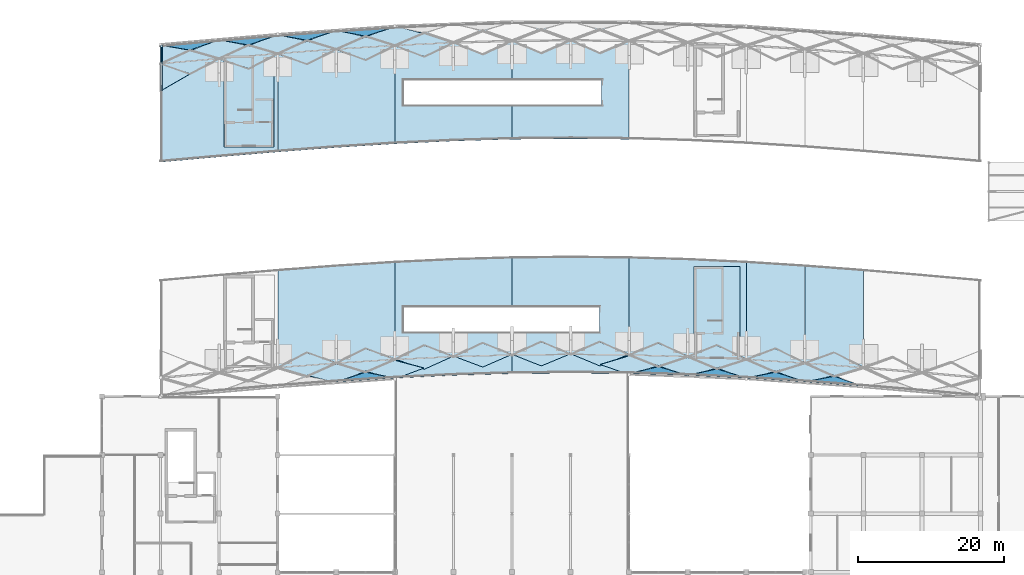
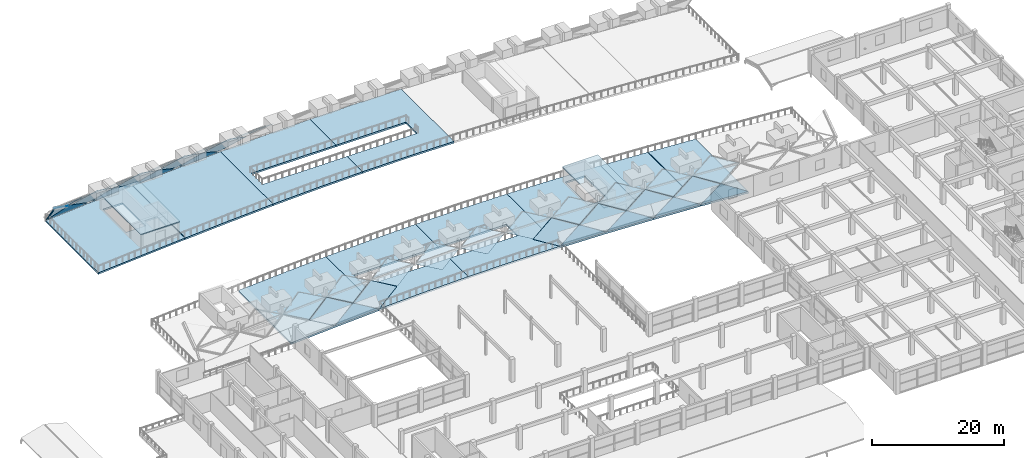
# One storey, part 36 of 67: 38 plates, 12 slabs.
"""IFC4 building model written with IfcOpenShell, lengths in metres."""

import ifcopenshell
import ifcopenshell.guid

model = None  # the IFC model being written
_history = None  # IfcOwnerHistory: only IFC2X3 demands one
_inside = {}  # id of a spatial element -> (the spatial element, [elements in it])
_under = {}  # id of a project, library or spatial element -> (it, [spatial elements below it])
_declared = {}  # id of a project -> (the project, [libraries it declares])
_typed = {}  # id of a type object -> (the type object, [elements of that type])
_made_of = {}  # id of a material, layer set ... -> (it, [elements and type objects made of it])


def new_model(schema):
    """Start an empty IFC model of exactly this schema.

    Asked for "IFC4X3", IfcOpenShell would pick the latest addendum, in which some entities
    have other attributes; the version numbers below select the first issue.
    IFC2X3 requires an IfcOwnerHistory on every rooted entity: one is made here for all.
    """
    global model, _history
    if schema == "IFC4X3":
        model = ifcopenshell.file(schema_version=(4, 3, 0, 0))
    else:
        model = ifcopenshell.file(schema=schema)
    _inside.clear()
    _under.clear()
    _declared.clear()
    _typed.clear()
    _made_of.clear()
    _history = None
    if model.schema == "IFC2X3":
        org = make("IfcOrganization", Name="unknown")
        user = make(
            "IfcPersonAndOrganization",
            ThePerson=make("IfcPerson", FamilyName="unknown"),
            TheOrganization=org,
        )
        app = make(
            "IfcApplication",
            ApplicationDeveloper=org,
            Version="unknown",
            ApplicationFullName="unknown",
            ApplicationIdentifier="unknown",
        )
        _history = make(
            "IfcOwnerHistory",
            OwningUser=user,
            OwningApplication=app,
            ChangeAction="ADDED",
            CreationDate=0,
        )
    return model


def make(cls, **values):
    """One entity of the class cls with the attributes given. An attribute that is None is left unset."""
    return model.create_entity(
        cls, **{name: value for name, value in values.items() if value is not None}
    )


def rooted(cls, **values):
    """An entity with a GlobalId (a new one), such as an element, a storey or a relation."""
    return make(cls, GlobalId=ifcopenshell.guid.new(), OwnerHistory=_history, **values)


def si_unit(unit_type, name, prefix=None):
    """IfcSIUnit, for example si_unit("LENGTHUNIT", "METRE", prefix="MILLI")."""
    return make("IfcSIUnit", UnitType=unit_type, Prefix=prefix, Name=name)


def assignment(units):
    """IfcUnitAssignment: the units of a project."""
    return None if units is None else make("IfcUnitAssignment", Units=units)


def point(xyz):
    """IfcCartesianPoint."""
    return None if xyz is None else make("IfcCartesianPoint", Coordinates=xyz)


def direction(xyz):
    """IfcDirection."""
    return None if xyz is None else make("IfcDirection", DirectionRatios=xyz)


def frame(location, z_axis=None, x_axis=None):
    """IfcAxis2Placement3D, a coordinate frame: its origin and axes. An axis left out is left unset."""
    return make(
        "IfcAxis2Placement3D",
        Location=point(location),
        Axis=direction(z_axis),
        RefDirection=direction(x_axis),
    )


def origin():
    """The frame at (0, 0, 0) with its axes left unset."""
    return frame((0.0, 0.0, 0.0))


def place(relative_to, where):
    """IfcLocalPlacement: puts the frame where relative to a parent placement (None: the world)."""
    return make(
        "IfcLocalPlacement", PlacementRelTo=relative_to, RelativePlacement=where
    )


def context(
    kind, dimensions, precision=None, world=None, true_north=None, identifier=None
):
    """IfcGeometricRepresentationContext, for example the 3D "Model" context."""
    return make(
        "IfcGeometricRepresentationContext",
        ContextIdentifier=identifier,
        ContextType=kind,
        CoordinateSpaceDimension=dimensions,
        Precision=precision,
        WorldCoordinateSystem=world,
        TrueNorth=true_north,
    )


def subcontext(parent, identifier, kind, view, scale=None):
    """IfcGeometricRepresentationSubContext, for example "Body" below "Model"."""
    return make(
        "IfcGeometricRepresentationSubContext",
        ContextIdentifier=identifier,
        ContextType=kind,
        ParentContext=parent,
        TargetScale=scale,
        TargetView=view,
    )


def project(units=None, contexts=None):
    """IfcProject with its units and contexts."""
    return rooted(
        "IfcProject",
        Name="project",
        RepresentationContexts=contexts,
        UnitsInContext=assignment(units),
    )


def spatial(cls, under=None, at=None, **own):
    """A site, building, storey or space (cls), placed at a placement, below another one or the project."""
    s = rooted(cls, ObjectPlacement=at, **own)
    if under is not None:
        _under.setdefault(under.id(), (under, []))[1].append(s)
    return s


def polyline(points):
    """IfcPolyline through the points."""
    return make("IfcPolyline", Points=[point(p) for p in points])


def outline(outer, holes=None, kind="AREA"):
    """IfcArbitraryClosedProfileDef: a profile drawn as a closed curve; with holes, ...WithVoids."""
    if holes is None:
        return make("IfcArbitraryClosedProfileDef", ProfileType=kind, OuterCurve=outer)
    return make(
        "IfcArbitraryProfileDefWithVoids",
        ProfileType=kind,
        OuterCurve=outer,
        InnerCurves=holes,
    )


def extrude(swept, where, along, depth):
    """IfcExtrudedAreaSolid: the profile swept, set in the frame where, extruded along a direction by depth."""
    return make(
        "IfcExtrudedAreaSolid",
        SweptArea=swept,
        Position=where,
        ExtrudedDirection=direction(along),
        Depth=depth,
    )


def shape(context_of_items, identifier, shape_type, items):
    """IfcShapeRepresentation: the items that make up one representation, for example the "Body"."""
    return make(
        "IfcShapeRepresentation",
        ContextOfItems=context_of_items,
        RepresentationIdentifier=identifier,
        RepresentationType=shape_type,
        Items=items,
    )


def material(Name=None, Category=None):
    """IfcMaterial."""
    return make("IfcMaterial", Name=Name, Category=Category)


def layer(
    of_material, thickness, ventilated=None, Name=None, Category=None, Priority=None
):
    """IfcMaterialLayer: one layer of a wall or slab, of a material (None: an air gap)."""
    return make(
        "IfcMaterialLayer",
        Material=of_material,
        LayerThickness=thickness,
        IsVentilated=ventilated,
        Name=Name,
        Category=Category,
        Priority=Priority,
    )


def layer_set(layers, Name=None):
    """IfcMaterialLayerSet."""
    return make("IfcMaterialLayerSet", MaterialLayers=layers, LayerSetName=Name)


def made_of(thing, what):
    """Note that an element or type object is made of a material, layer set ...; save() writes the relation."""
    if what is not None:
        _made_of.setdefault(what.id(), (what, []))[1].append(thing)
    return thing


def type_object(cls, material=None, **own):
    """A type object (cls), such as IfcWallType, which elements share."""
    return made_of(rooted(cls, **own), material)


def element(
    cls,
    number,
    at=None,
    inside=None,
    cuts=None,
    type_object=None,
    material=None,
    context=None,
    identifier="Body",
    shape_type=None,
    held_by="IfcProductDefinitionShape",
    body=None,
    shapes=None,
    **own,
):
    """One element of the class cls, such as IfcWall. Its Tag is "e" and its number.

    at: its placement. inside: the storey or other place that contains it. cuts: it is an
    opening in that element (IfcRelVoidsElement). A single representation is given by context,
    identifier, shape_type and body (its items); several are given by shapes. held_by: the class
    of the entity that holds the representations. save() writes the other relations.
    """
    e = rooted(cls, Tag="e%d" % number, ObjectPlacement=at, **own)
    if body is not None:
        shapes = [shape(context, identifier, shape_type, body)]
    if shapes is not None:
        e.Representation = make(held_by, Representations=shapes)
    if inside is not None:
        _inside.setdefault(inside.id(), (inside, []))[1].append(e)
    if cuts is not None:
        rooted(
            "IfcRelVoidsElement", RelatingBuildingElement=cuts, RelatedOpeningElement=e
        )
    if type_object is not None:
        _typed.setdefault(type_object.id(), (type_object, []))[1].append(e)
    return made_of(e, material)


def aggregate(whole, parts):
    """IfcRelAggregates: a whole, such as a stair, and the parts it consists of."""
    return rooted("IfcRelAggregates", RelatingObject=whole, RelatedObjects=parts)


def save(model, path):
    """Write the relations noted so far, then the file.

    IfcRelAggregates (storeys below a building ...), IfcRelContainedInSpatialStructure (elements
    in a storey), IfcRelDefinesByType, IfcRelAssociatesMaterial and IfcRelDeclares: one each for
    every whole, place, type object, material and project.
    """
    for whole, parts in _under.values():
        aggregate(whole, parts)
    for where, things in _inside.values():
        rooted(
            "IfcRelContainedInSpatialStructure",
            RelatedElements=things,
            RelatingStructure=where,
        )
    for kind, things in _typed.values():
        rooted("IfcRelDefinesByType", RelatedObjects=things, RelatingType=kind)
    for what, things in _made_of.values():
        rooted("IfcRelAssociatesMaterial", RelatedObjects=things, RelatingMaterial=what)
    for by, libraries in _declared.values():
        rooted("IfcRelDeclares", RelatingContext=by, RelatedDefinitions=libraries)
    model.write(path)


model = new_model("IFC4")

# Units and contexts
model_context = context("Model", 3, precision=1e-05, world=origin(), true_north=direction((0.0, 1.0)))
body_context = subcontext(model_context, "Body", "Model", "MODEL_VIEW")
ifc_project = project(units=[si_unit("LENGTHUNIT", "METRE"), si_unit("AREAUNIT", "SQUARE_METRE"), si_unit("VOLUMEUNIT", "CUBIC_METRE"), si_unit("PLANEANGLEUNIT", "RADIAN"), si_unit("MASSUNIT", "GRAM", prefix="KILO")], contexts=[model_context])

# Site, building, storey
site_placement = place(None, origin())
site = spatial("IfcSite", under=ifc_project, at=site_placement, CompositionType="ELEMENT")
building_placement = place(site_placement, origin())
building = spatial("IfcBuilding", under=site, at=building_placement, Name="Kenh Van Central Station", CompositionType="ELEMENT")
storey_placement = place(building_placement, frame((0.0, 0.0, 10.800048828125)))
storey = spatial("IfcBuildingStorey", under=building, at=storey_placement, Name="L02", CompositionType="ELEMENT", Elevation=10.800048828125)

# Plates
ifc_material_1 = material(Name="White fluoropolymer structural steel S355", Category="steel")
ifc_layer_1 = layer(ifc_material_1, 0.008056640625, Name="White fluoropolymer structural steel S355")
ifc_layer_set_1 = layer_set([ifc_layer_1], Name="White fluoropolymer structural steel S355")
plate_type_1 = type_object("IfcPlateType", Name="PLT-FASCIA-SH1", PredefinedType="SHEET", material=ifc_layer_set_1)
plate_1_placement = place(storey_placement, frame((32.0, 109.447509765625, 3.76171875), z_axis=(0.0, 0.827486468336, 0.561485658518), x_axis=(1.0, 0.0, 0.0)))
element("IfcPlate", 1, at=plate_1_placement, inside=storey, type_object=plate_type_1, Name="Vault portal arch trim plate 12", PredefinedType="SHEET", context=body_context, shape_type="SweptSolid", body=[
    extrude(outline(polyline([(0.0, 0.0), (0.260009765625, 0.0), (0.260009765625, 4.54595802341831), (0.0, 4.54595802341831), (0.0, 0.0)])), origin(), (0.0, 0.0, -1.0), 0.008056640625),
])
ifc_layer_2 = layer(ifc_material_1, 0.011962890625, Name="White fluoropolymer structural steel S355")
ifc_layer_set_2 = layer_set([ifc_layer_2], Name="White fluoropolymer structural steel S355")
plate_type_2 = type_object("IfcPlateType", Name="PLT-FASCIA-SH3", PredefinedType="SHEET", material=ifc_layer_set_2)
plate_2_placement = place(storey_placement, frame((32.0, 105.73046875, 6.428466796875), z_axis=(0.0, 0.58293315188, 0.812520116944), x_axis=(1.0, 0.0, 0.0)))
element("IfcPlate", 2, at=plate_2_placement, inside=storey, type_object=plate_type_2, Name="Vault portal arch trim plate 11", PredefinedType="SHEET", context=body_context, shape_type="SweptSolid", body=[
    extrude(outline(polyline([(0.0, 0.0), (0.260009765625, 0.0), (0.260009765625, 4.574706444937222), (0.0, 4.574706444937222), (0.0, 0.0)])), origin(), (0.0, 0.0, -1.0), 0.011962890625),
])
ifc_material_2 = material(Name="Double-glazed low-E laminated solar glass", Category="glass")
ifc_layer_3 = layer(ifc_material_2, 0.02197265625, Name="Double-glazed low-E laminated solar glass")
ifc_layer_set_3 = layer_set([ifc_layer_3], Name="Double-glazed low-E laminated solar glass")
plate_type_3 = type_object("IfcPlateType", Name="PLT-VAULT-GLZ1", PredefinedType="SHEET", material=ifc_layer_set_3)
plate_3_placement = place(storey_placement, frame((56.01171875, 65.9970703125, 0.001953125), z_axis=(0.055928108175, -0.883172136439, 0.465702720771), x_axis=(0.998000894457, 0.063199799542, 0.0)))
element("IfcPlate", 3, at=plate_3_placement, inside=storey, type_object=plate_type_3, Name="Vault border triangle skylight pane 284", PredefinedType="SHEET", context=body_context, shape_type="SweptSolid", body=[
    extrude(outline(polyline([(0.0, 0.0), (7.992540431876439, -2.7755575615628914e-17), (4.0634585770478715, 2.2782454008651882), (0.0, 0.0)])), origin(), (0.0, 0.0, -1.0), 0.02197265625),
])
plate_4_placement = place(storey_placement, frame((96.01171875, 67.12060546875, 0.001953125), z_axis=(-0.026146594293, -0.883414197243, 0.467862919792), x_axis=(0.999562290174, -0.02958425363, 0.0)))
element("IfcPlate", 4, at=plate_4_placement, inside=storey, type_object=plate_type_3, Name="Vault border triangle skylight pane 290", PredefinedType="SHEET", context=body_context, shape_type="SweptSolid", body=[
    extrude(outline(polyline([(0.0, 0.0), (7.980055448684841, 0.0), (3.9584391664199083, 2.2811845394208583), (0.0, 0.0)])), origin(), (0.0, 0.0, -1.0), 0.02197265625),
])
plate_5_placement = place(storey_placement, frame((120.01171875, 65.995361328125, 0.001953125), z_axis=(-0.066986760815, -0.883208817337, 0.464171260262), x_axis=(0.99713613591, -0.075627550954, 0.0)))
element("IfcPlate", 5, at=plate_5_placement, inside=storey, type_object=plate_type_3, Name="Vault border triangle skylight pane 296", PredefinedType="SHEET", context=body_context, shape_type="SweptSolid", body=[
    extrude(outline(polyline([(0.0, 0.0), (7.9994719003178725, 0.0), (3.9196032423605174, 2.276176785556184), (0.0, 0.0)])), origin(), (0.0, 0.0, -1.0), 0.02197265625),
])
ifc_layer_4 = layer(ifc_material_2, 0.02490234375, Name="Double-glazed low-E laminated solar glass")
ifc_layer_set_4 = layer_set([ifc_layer_4], Name="Double-glazed low-E laminated solar glass")
plate_type_4 = type_object("IfcPlateType", Name="PLT-VAULT-GLZ2", PredefinedType="SHEET", material=ifc_layer_set_4)
plate_6_placement = place(storey_placement, frame((36.021484375, 111.195556640625, 1.955322265625), z_axis=(-0.072217389507, 0.825393790341, 0.559919404486), x_axis=(0.885343290332, -0.20546641609, 0.417074106272)))
element("IfcPlate", 6, at=plate_6_placement, inside=storey, type_object=plate_type_4, Name="Vault planar diamond skylight pane 018", PredefinedType="SHEET", context=body_context, shape_type="SweptSolid", body=[
    extrude(outline(polyline([(0.0, 0.0), (4.483277974137806, -2.220446049250313e-16), (6.918236462234372, 4.02968854867161), (2.400916720368131, 4.0139877874823195), (0.0, 0.0)])), origin(), (0.0, 0.0, -1.0), 0.02490234375),
])
plate_7_placement = place(storey_placement, frame((40.017578125, 110.093994140625, 3.693359375), z_axis=(-0.058985798948, 0.696936897091, 0.714702481453), x_axis=(0.889878177634, -0.287727841423, 0.354019093046)))
element("IfcPlate", 7, at=plate_7_placement, inside=storey, type_object=plate_type_4, Name="Vault planar diamond skylight pane 028", PredefinedType="SHEET", context=body_context, shape_type="SweptSolid", body=[
    extrude(outline(polyline([(0.0, 0.0), (4.468928686325895, -1.1102230246251565e-16), (6.903817401276128, 4.050937842359991), (2.4112329198228926, 4.047800552036084), (0.0, 0.0)])), origin(), (0.0, 0.0, -1.0), 0.02490234375),
])
plate_8_placement = place(storey_placement, frame((48.006591796875, 68.01220703125, 3.689453125), z_axis=(0.052954281991, -0.697010559228, 0.715102876755), x_axis=(0.889301747749, -0.292828973136, -0.351274243209)))
element("IfcPlate", 8, at=plate_8_placement, inside=storey, type_object=plate_type_4, Name="Vault planar diamond skylight pane 039", PredefinedType="SHEET", context=body_context, shape_type="SweptSolid", body=[
    extrude(outline(polyline([(0.0, 0.0), (4.496544026384616, -2.220446049250313e-16), (6.916009471208188, 4.019100096142446), (2.430851784742546, 4.044128043201607), (0.0, 0.0)])), origin(), (0.0, 0.0, -1.0), 0.02490234375),
])
plate_9_placement = place(storey_placement, frame((52.00390625, 66.872314453125, 1.95166015625), z_axis=(0.057956976217, -0.825985598144, 0.560703826067), x_axis=(0.884839824634, -0.217572253378, -0.411971842851)))
element("IfcPlate", 9, at=plate_9_placement, inside=storey, type_object=plate_type_4, Name="Vault planar diamond skylight pane 049", PredefinedType="SHEET", context=body_context, shape_type="SweptSolid", body=[
    extrude(outline(polyline([(0.0, 0.0), (4.525279261157869, 0.0), (6.936055415524817, 3.9776552415638284), (2.431100188061989, 4.007924452409416), (0.0, 0.0)])), origin(), (0.0, 0.0, -1.0), 0.02490234375),
])
plate_10_placement = place(storey_placement, frame((60.017822265625, 113.103271484375, 1.957763671875), z_axis=(-0.046266343832, 0.826710459141, 0.560722072131), x_axis=(0.88088807475, -0.230933967031, 0.413165466412)))
element("IfcPlate", 10, at=plate_10_placement, inside=storey, type_object=plate_type_4, Name="Vault planar diamond skylight pane 076", PredefinedType="SHEET", context=body_context, shape_type="SweptSolid", body=[
    extrude(outline(polyline([(0.0, 0.0), (4.513985134421077, -4.440892098500626e-16), (6.923223480283863, 3.9856860006532995), (2.3815549855339966, 3.9876880307243967), (0.0, 0.0)])), origin(), (0.0, 0.0, -1.0), 0.02490234375),
])
plate_11_placement = place(storey_placement, frame((64.01513671875, 111.8857421875, 3.69580078125), z_axis=(-0.03330262297, 0.697848471769, 0.715470786093), x_axis=(0.882013706571, -0.316156288171, 0.349423844165)))
element("IfcPlate", 11, at=plate_11_placement, inside=storey, type_object=plate_type_4, Name="Vault planar diamond skylight pane 086", PredefinedType="SHEET", context=body_context, shape_type="SweptSolid", body=[
    extrude(outline(polyline([(0.0, 0.0), (4.514316078677269, -1.1102230246251565e-16), (6.914620045615733, 3.9933165775402473), (2.378889704786478, 4.007525946293733), (0.0, 0.0)])), origin(), (0.0, 0.0, -1.0), 0.02490234375),
])
plate_12_placement = place(storey_placement, frame((72.009765625, 69.5087890625, 3.68701171875), z_axis=(0.020674096785, -0.697731831754, 0.716060662709), x_axis=(0.878303659989, -0.329502004553, -0.346426196823)))
element("IfcPlate", 12, at=plate_12_placement, inside=storey, type_object=plate_type_4, Name="Vault planar diamond skylight pane 094", PredefinedType="SHEET", context=body_context, shape_type="SweptSolid", body=[
    extrude(outline(polyline([(0.0, 0.0), (4.545616093565258, 1.1102230246251565e-16), (6.927709609288964, 3.9598403022920983), (2.3760398812591506, 3.9893703701065024), (0.0, 0.0)])), origin(), (0.0, 0.0, -1.0), 0.02490234375),
])
plate_13_placement = place(storey_placement, frame((96.01416015625, 69.744873046875, 3.686767578125), z_axis=(-0.020674096785, -0.697731831754, 0.716060662709), x_axis=(0.862052314965, -0.375206754828, -0.340713512199)))
element("IfcPlate", 13, at=plate_13_placement, inside=storey, type_object=plate_type_4, Name="Vault planar diamond skylight pane 150", PredefinedType="SHEET", context=body_context, shape_type="SweptSolid", body=[
    extrude(outline(polyline([(0.0, 0.0), (4.621115096739066, 1.1102230246251565e-16), (6.964290368242705, 3.8951450957690046), (2.3209914420360165, 3.915554630440456), (0.0, 0.0)])), origin(), (0.0, 0.0, -1.0), 0.02490234375),
])
plate_14_placement = place(storey_placement, frame((100.0166015625, 68.191650390625, 1.94970703125), z_axis=(-0.032229809965, -0.826881098112, 0.561452481457), x_axis=(0.862025901968, -0.307296666786, -0.403088207367)))
element("IfcPlate", 14, at=plate_14_placement, inside=storey, type_object=plate_type_4, Name="Vault planar diamond skylight pane 160", PredefinedType="SHEET", context=body_context, shape_type="SweptSolid", body=[
    extrude(outline(polyline([(0.0, 0.0), (4.615875735509338, -4.440892098500626e-16), (6.97060531619273, 3.888568703389453), (2.3272171643162416, 3.9002230673966602), (0.0, 0.0)])), origin(), (0.0, 0.0, -1.0), 0.02490234375),
])
plate_15_placement = place(storey_placement, frame((120.017333984375, 68.61767578125, 3.68896484375), z_axis=(-0.052954281991, -0.697010559228, 0.715102876755), x_axis=(0.847826566501, -0.4097466882, -0.336597333092)))
element("IfcPlate", 15, at=plate_15_placement, inside=storey, type_object=plate_type_4, Name="Vault planar diamond skylight pane 206", PredefinedType="SHEET", context=body_context, shape_type="SweptSolid", body=[
    extrude(outline(polyline([(0.0, 0.0), (4.691159624390065, 4.440892098500626e-16), (7.010252079995841, 3.85236529466866), (2.2917775290911284, 3.855518334510781), (0.0, 0.0)])), origin(), (0.0, 0.0, -1.0), 0.02490234375),
])
plate_16_placement = place(storey_placement, frame((32.01171875, 112.0, 0.001953125), z_axis=(-0.078750195891, 0.884775240765, 0.459315991422), x_axis=(0.881951368601, -0.152948593735, 0.445834623036)))
element("IfcPlate", 16, at=plate_16_placement, inside=storey, type_object=plate_type_4, Name="Vault border triangle skylight pane 279", PredefinedType="SHEET", context=body_context, shape_type="SweptSolid", body=[
    extrude(outline(polyline([(0.0, 0.0), (4.522110166148755, 0.0), (6.926352686610428, 4.019357201079126), (0.0, 0.0)])), origin(), (0.0, 0.0, -1.0), 0.02490234375),
])
plate_17_placement = place(storey_placement, frame((56.01171875, 113.994873046875, 0.001953125), z_axis=(-0.056275400193, 0.88822699281, 0.455945049954), x_axis=(0.879086613354, -0.172416350954, 0.444386462603)))
element("IfcPlate", 17, at=plate_17_placement, inside=storey, type_object=plate_type_4, Name="Vault border triangle skylight pane 285", PredefinedType="SHEET", context=body_context, shape_type="SweptSolid", body=[
    extrude(outline(polyline([(0.0, 0.0), (4.536846755954489, -4.440892098500626e-16), (6.9249550744727335, 3.9907325737687134), (0.0, 0.0)])), origin(), (0.0, 0.0, -1.0), 0.02490234375),
])
ifc_layer_5 = layer(ifc_material_2, 0.027099609375, Name="Double-glazed low-E laminated solar glass")
ifc_layer_set_5 = layer_set([ifc_layer_5], Name="Double-glazed low-E laminated solar glass")
plate_type_5 = type_object("IfcPlateType", Name="PLT-VAULT-GLZ3", PredefinedType="SHEET", material=ifc_layer_set_5)
plate_18_placement = place(storey_placement, frame((32.005859375, 105.7392578125, 6.4228515625), z_axis=(-0.088951634368, 0.580587320099, 0.80932439138), x_axis=(0.838074712556, 0.482724046623, -0.254181570904)))
element("IfcPlate", 18, at=plate_18_placement, inside=storey, type_object=plate_type_5, Name="Vault border triangle skylight pane 274", PredefinedType="SHEET", context=body_context, shape_type="SweptSolid", body=[
    extrude(outline(polyline([(0.0, 0.0), (4.751578438909931, -1.1102230246251565e-16), (2.4614357286426984, 3.831602085558889), (0.0, 0.0)])), origin(), (0.0, 0.0, -1.0), 0.027099609375),
])
plate_19_placement = place(storey_placement, frame((104.01171875, 66.883544921875, 0.001953125), z_axis=(-0.042091354721, -0.883242608515, 0.467023353122), x_axis=(0.998866407848, -0.047601462935, 0.0)))
element("IfcPlate", 19, at=plate_19_placement, inside=storey, type_object=plate_type_5, Name="Vault border triangle skylight pane 292", PredefinedType="SHEET", context=body_context, shape_type="SweptSolid", body=[
    extrude(outline(polyline([(0.0, 0.0), (7.985614930416965, -2.7755575615628914e-17), (3.9420623998016127, 2.2800392685333013), (0.0, 0.0)])), origin(), (0.0, 0.0, -1.0), 0.027099609375),
])
ifc_layer_6 = layer(ifc_material_2, 0.029052734375, Name="Double-glazed low-E laminated solar glass")
ifc_layer_set_6 = layer_set([ifc_layer_6], Name="Double-glazed low-E laminated solar glass")
plate_type_6 = type_object("IfcPlateType", Name="PLT-VAULT-GLZ4", PredefinedType="SHEET", material=ifc_layer_set_6)
plate_20_placement = place(storey_placement, frame((44.0205078125, 111.8955078125, 1.9560546875), z_axis=(-0.066777286775, 0.825732451939, 0.560095270277), x_axis=(0.884543743281, -0.210735277498, 0.416140612101)))
element("IfcPlate", 20, at=plate_20_placement, inside=storey, type_object=plate_type_6, Name="Vault planar diamond skylight pane 038", PredefinedType="SHEET", context=body_context, shape_type="SweptSolid", body=[
    extrude(outline(polyline([(0.0, 0.0), (4.4892605343192145, 0.0), (6.919665864804035, 4.018881104380001), (2.3970686440764752, 4.008717995204057), (0.0, 0.0)])), origin(), (0.0, 0.0, -1.0), 0.029052734375),
])
plate_21_placement = place(storey_placement, frame((48.016845703125, 110.771240234375, 3.6943359375), z_axis=(-0.052925544166, 0.69720153654, 0.714918809531), x_axis=(0.888190986283, -0.2943509232, 0.352809163567)))
element("IfcPlate", 21, at=plate_21_placement, inside=storey, type_object=plate_type_6, Name="Vault planar diamond skylight pane 048", PredefinedType="SHEET", context=body_context, shape_type="SweptSolid", body=[
    extrude(outline(polyline([(0.0, 0.0), (4.479077349250862, 1.1102230246251565e-16), (6.906214939556876, 4.0358706667889646), (2.4035996413882197, 4.038903496364168), (0.0, 0.0)])), origin(), (0.0, 0.0, -1.0), 0.029052734375),
])
plate_22_placement = place(storey_placement, frame((56.00732421875, 68.619873046875, 3.6884765625), z_axis=(0.044243490817, -0.697249599951, 0.715461745231), x_axis=(0.88654476789, -0.302729951891, -0.349847039083)))
element("IfcPlate", 22, at=plate_22_placement, inside=storey, type_object=plate_type_6, Name="Vault planar diamond skylight pane 057", PredefinedType="SHEET", context=body_context, shape_type="SweptSolid", body=[
    extrude(outline(polyline([(0.0, 0.0), (4.508867764941146, 3.3306690738754696e-16), (6.918252815107988, 4.001397872357794), (2.415456163797466, 4.02946508171962), (0.0, 0.0)])), origin(), (0.0, 0.0, -1.0), 0.029052734375),
])
plate_23_placement = place(storey_placement, frame((60.005615234375, 67.43359375, 1.950927734375), z_axis=(0.04627849062, -0.826449561817, 0.561105536488), x_axis=(0.882374194788, -0.229490742082, -0.410791649953)))
element("IfcPlate", 23, at=plate_23_placement, inside=storey, type_object=plate_type_6, Name="Vault planar diamond skylight pane 067", PredefinedType="SHEET", context=body_context, shape_type="SweptSolid", body=[
    extrude(outline(polyline([(0.0, 0.0), (4.53405394781098, -2.220446049250313e-16), (6.935448016674904, 3.9639122604882764), (2.4142802846031017, 3.994373209236433), (0.0, 0.0)])), origin(), (0.0, 0.0, -1.0), 0.029052734375),
])
plate_24_placement = place(storey_placement, frame((80.01123046875, 69.74560546875, 3.686767578125), z_axis=(0.007028321904, -0.697863048368, 0.716196738622), x_axis=(0.873188258753, -0.344760086127, -0.344503625219)))
element("IfcPlate", 24, at=plate_24_placement, inside=storey, type_object=plate_type_6, Name="Vault planar diamond skylight pane 113", PredefinedType="SHEET", context=body_context, shape_type="SweptSolid", body=[
    extrude(outline(polyline([(0.0, 0.0), (4.568890694278917, -2.220446049250313e-16), (6.937090724816821, 3.9371239229134005), (2.3559497366037503, 3.965084332772528), (0.0, 0.0)])), origin(), (0.0, 0.0, -1.0), 0.029052734375),
])
plate_25_placement = place(storey_placement, frame((104.015380859375, 69.507568359375, 3.687255859375), z_axis=(-0.033286002801, -0.697521130168, 0.715790692163), x_axis=(0.856682449721, -0.388787876069, -0.33902679505)))
element("IfcPlate", 25, at=plate_25_placement, inside=storey, type_object=plate_type_6, Name="Vault planar diamond skylight pane 168", PredefinedType="SHEET", context=body_context, shape_type="SweptSolid", body=[
    extrude(outline(polyline([(0.0, 0.0), (4.647236251670846, -4.440892098500626e-16), (6.98076370031628, 3.8770324130603036), (2.308381241009833, 3.892339410103304), (0.0, 0.0)])), origin(), (0.0, 0.0, -1.0), 0.029052734375),
])
plate_26_placement = place(storey_placement, frame((108.0185546875, 67.8798828125, 1.950439453125), z_axis=(-0.04627849062, -0.826449561817, 0.561105536488), x_axis=(0.857704772216, -0.320808741921, -0.40177639904)))
element("IfcPlate", 26, at=plate_26_placement, inside=storey, type_object=plate_type_6, Name="Vault planar diamond skylight pane 178", PredefinedType="SHEET", context=body_context, shape_type="SweptSolid", body=[
    extrude(outline(polyline([(0.0, 0.0), (4.6345759118633625, 4.440892098500626e-16), (6.983884773179377, 3.877936703429078), (2.3165789172737146, 3.8826985011675665), (0.0, 0.0)])), origin(), (0.0, 0.0, -1.0), 0.029052734375),
])
plate_27_placement = place(storey_placement, frame((40.01171875, 112.712158203125, 0.001953125), z_axis=(-0.07488173815, 0.885784268223, 0.45801632663), x_axis=(0.881539798074, -0.155899147688, 0.445626570305)))
element("IfcPlate", 27, at=plate_27_placement, inside=storey, type_object=plate_type_6, Name="Vault border triangle skylight pane 281", PredefinedType="SHEET", context=body_context, shape_type="SweptSolid", body=[
    extrude(outline(polyline([(0.0, 0.0), (4.5242214347134455, 0.0), (6.926531942569163, 4.012905079953078), (0.0, 0.0)])), origin(), (0.0, 0.0, -1.0), 0.029052734375),
])
ifc_layer_7 = layer(ifc_material_2, 0.031005859375, Name="Double-glazed low-E laminated solar glass")
ifc_layer_set_7 = layer_set([ifc_layer_7], Name="Double-glazed low-E laminated solar glass")
plate_type_7 = type_object("IfcPlateType", Name="PLT-VAULT-GLZ5", PredefinedType="SHEET", material=ifc_layer_set_7)
plate_28_placement = place(storey_placement, frame((32.005859375, 109.4541015625, 3.753662109375), z_axis=(-0.139164599112, 0.819451090659, 0.555997413997), x_axis=(0.844302121154, 0.391585160109, -0.365807313482)))
element("IfcPlate", 28, at=plate_28_placement, inside=storey, type_object=plate_type_7, Name="Vault border triangle skylight pane 276", PredefinedType="SHEET", context=body_context, shape_type="SweptSolid", body=[
    extrude(outline(polyline([(0.0, 0.0), (4.716531718444367, -2.220446049250313e-16), (2.3649471771372035, 3.858081166887451), (0.0, 0.0)])), origin(), (0.0, 0.0, -1.0), 0.031005859375),
])
plate_29_placement = place(storey_placement, frame((112.01171875, 66.502197265625, 0.001953125), z_axis=(-0.055928108175, -0.883172136439, 0.465702720771), x_axis=(0.998000894457, -0.063199799542, 0.0)))
element("IfcPlate", 29, at=plate_29_placement, inside=storey, type_object=plate_type_7, Name="Vault border triangle skylight pane 294", PredefinedType="SHEET", context=body_context, shape_type="SweptSolid", body=[
    extrude(outline(polyline([(0.0, 0.0), (7.992540431876439, 2.7755575615628914e-17), (3.9290818548285666, 2.2782454008651882), (0.0, 0.0)])), origin(), (0.0, 0.0, -1.0), 0.031005859375),
])
ifc_layer_8 = layer(ifc_material_2, 0.034912109375, Name="Double-glazed low-E laminated solar glass")
ifc_layer_set_8 = layer_set([ifc_layer_8], Name="Double-glazed low-E laminated solar glass")
plate_type_8 = type_object("IfcPlateType", Name="PLT-VAULT-GLZ6", PredefinedType="SHEET", material=ifc_layer_set_8)
plate_30_placement = place(storey_placement, frame((32.01806640625, 109.380859375, 3.6923828125), z_axis=(-0.062080915883, 0.696724699203, 0.714647223043), x_axis=(0.89057272254, -0.284585386121, 0.354811758365)))
element("IfcPlate", 30, at=plate_30_placement, inside=storey, type_object=plate_type_8, Name="Vault planar diamond skylight pane 010", PredefinedType="SHEET", context=body_context, shape_type="SweptSolid", body=[
    extrude(outline(polyline([(0.0, 0.0), (4.464350054738675, 1.1102230246251565e-16), (6.901177290900403, 4.06155759464225), (2.4143051223728387, 4.051881550468483), (0.0, 0.0)])), origin(), (0.0, 0.0, -1.0), 0.034912109375),
])
plate_31_placement = place(storey_placement, frame((52.019287109375, 112.542236328125, 1.95703125), z_axis=(-0.057972330758, 0.82620483964, 0.560379132216), x_axis=(0.883068495995, -0.219381076746, 0.414803537287)))
element("IfcPlate", 31, at=plate_31_placement, inside=storey, type_object=plate_type_8, Name="Vault planar diamond skylight pane 056", PredefinedType="SHEET", context=body_context, shape_type="SweptSolid", body=[
    extrude(outline(polyline([(0.0, 0.0), (4.499528932659139, 0.0), (6.920916827250623, 4.003937589205221), (2.3902934643954024, 4.000004988707321), (0.0, 0.0)])), origin(), (0.0, 0.0, -1.0), 0.034912109375),
])
plate_32_placement = place(storey_placement, frame((56.01611328125, 111.378662109375, 3.695068359375), z_axis=(-0.044239521012, 0.697524039905, 0.715194434078), x_axis=(0.885517093074, -0.304044058927, 0.351307113655)))
element("IfcPlate", 32, at=plate_32_placement, inside=storey, type_object=plate_type_8, Name="Vault planar diamond skylight pane 066", PredefinedType="SHEET", context=body_context, shape_type="SweptSolid", body=[
    extrude(outline(polyline([(0.0, 0.0), (4.494250936529273, 2.220446049250313e-16), (6.909466514400893, 4.016519962629074), (2.3919374175580783, 4.025192560383562), (0.0, 0.0)])), origin(), (0.0, 0.0, -1.0), 0.034912109375),
])
plate_33_placement = place(storey_placement, frame((64.008544921875, 69.127197265625, 3.6875), z_axis=(0.033286002801, -0.697521130168, 0.715790692163), x_axis=(0.882820027621, -0.315221990352, -0.348229659319)))
element("IfcPlate", 33, at=plate_33_placement, inside=storey, type_object=plate_type_8, Name="Vault planar diamond skylight pane 077", PredefinedType="SHEET", context=body_context, shape_type="SweptSolid", body=[
    extrude(outline(polyline([(0.0, 0.0), (4.525122173544253, 0.0), (6.921621745868559, 3.981657265347322), (2.3963523148780395, 4.011095577665994), (0.0, 0.0)])), origin(), (0.0, 0.0, -1.0), 0.034912109375),
])
plate_34_placement = place(storey_placement, frame((88.0126953125, 69.82568359375, 3.6865234375), z_axis=(-0.007028321904, -0.697863048368, 0.716196738622), x_axis=(0.867685990047, -0.360268526931, -0.342531182783)))
element("IfcPlate", 34, at=plate_34_placement, inside=storey, type_object=plate_type_8, Name="Vault planar diamond skylight pane 130", PredefinedType="SHEET", context=body_context, shape_type="SweptSolid", body=[
    extrude(outline(polyline([(0.0, 0.0), (4.594487585032389, 1.1102230246251565e-16), (6.949493857541318, 3.915189348257895), (2.337360680790284, 3.94009893102964), (0.0, 0.0)])), origin(), (0.0, 0.0, -1.0), 0.034912109375),
])
plate_35_placement = place(storey_placement, frame((92.014404296875, 68.351806640625, 1.949462890625), z_axis=(-0.016526198611, -0.82719741424, 0.561668338643), x_axis=(0.866560403586, -0.292085354593, -0.404671734334)))
element("IfcPlate", 35, at=plate_35_placement, inside=storey, type_object=plate_type_8, Name="Vault planar diamond skylight pane 140", PredefinedType="SHEET", context=body_context, shape_type="SweptSolid", body=[
    extrude(outline(polyline([(0.0, 0.0), (4.596509837232841, 0.0), (6.957933790092742, 3.902097005499266), (2.3407795610933886, 3.919359515515401), (0.0, 0.0)])), origin(), (0.0, 0.0, -1.0), 0.034912109375),
])
plate_36_placement = place(storey_placement, frame((112.0166015625, 69.12548828125, 3.68798828125), z_axis=(-0.044243490817, -0.697249599951, 0.715461745231), x_axis=(0.851838181576, -0.400485304223, -0.337614030382)))
element("IfcPlate", 36, at=plate_36_placement, inside=storey, type_object=plate_type_8, Name="Vault planar diamond skylight pane 188", PredefinedType="SHEET", context=body_context, shape_type="SweptSolid", body=[
    extrude(outline(polyline([(0.0, 0.0), (4.670794499105796, 5.551115123125783e-16), (6.99665117897218, 3.862677727489868), (2.29868020651325, 3.8719549015295653), (0.0, 0.0)])), origin(), (0.0, 0.0, -1.0), 0.034912109375),
])
plate_37_placement = place(storey_placement, frame((116.02001953125, 67.431640625, 1.951171875), z_axis=(-0.057956976217, -0.825985598144, 0.560703826067), x_axis=(0.853959004564, -0.331936743396, -0.400714383205)))
element("IfcPlate", 37, at=plate_37_placement, inside=storey, type_object=plate_type_8, Name="Vault planar diamond skylight pane 198", PredefinedType="SHEET", context=body_context, shape_type="SweptSolid", body=[
    extrude(outline(polyline([(0.0, 0.0), (4.651191555634372, 2.220446049250313e-16), (6.996705646842931, 3.8699762324086175), (2.3090939225390263, 3.8682842557732506), (0.0, 0.0)])), origin(), (0.0, 0.0, -1.0), 0.034912109375),
])
plate_38_placement = place(storey_placement, frame((48.01171875, 113.38818359375, 0.001953125), z_axis=(-0.067300403567, 0.886986198207, 0.456865559951), x_axis=(0.880594240593, -0.16247006863, 0.4451485822)))
element("IfcPlate", 38, at=plate_38_placement, inside=storey, type_object=plate_type_8, Name="Vault border triangle skylight pane 283", PredefinedType="SHEET", context=body_context, shape_type="SweptSolid", body=[
    extrude(outline(polyline([(0.0, 0.0), (4.529079417230861, 0.0), (6.925784113404979, 4.003168814665026), (0.0, 0.0)])), origin(), (0.0, 0.0, -1.0), 0.034912109375),
])

# Slabs
ifc_material_3 = material(Name="Concrete C40/50", Category="concrete")
ifc_layer_9 = layer(ifc_material_3, 0.2900390625, Name="Concrete C40/50")
ifc_layer_set_9 = layer_set([ifc_layer_9], Name="Concrete C40/50")
slab_type_1 = type_object("IfcSlabType", Name="SLB-FLR-290", PredefinedType="FLOOR", material=ifc_layer_set_9)
slab_1_placement = place(storey_placement, frame((0.0, 0.0, -0.2900390625)))
element("IfcSlab", 39, at=slab_1_placement, inside=storey, type_object=slab_type_1, Name="L02 slab SLB-L02-PN1", PredefinedType="FLOOR", context=body_context, shape_type="SweptSolid", body=[
    extrude(outline(polyline([(32.0, 96.0), (39.981201171875, 96.71044921875), (47.96240234375, 97.385498046875), (47.96240234375, 113.385498046875), (39.981201171875, 112.71044921875), (32.0, 112.0), (32.0, 96.0)]), holes=[polyline([(47.14990234375, 101.60009765625), (44.949951171875, 101.60009765625), (44.949951171875, 104.39990234375), (47.14990234375, 104.39990234375), (47.14990234375, 101.60009765625)]), polyline([(41.0, 103.215087890625), (41.0, 110.199951171875), (44.39990234375, 110.199951171875), (44.39990234375, 103.215087890625), (41.0, 103.215087890625)])]), origin(), (0.0, 0.0, 1.0), 0.2900390625),
])
ifc_layer_10 = layer(ifc_material_3, 0.320068359375, Name="Concrete C40/50")
ifc_layer_set_10 = layer_set([ifc_layer_10], Name="Concrete C40/50")
slab_type_2 = type_object("IfcSlabType", Name="SLB-FLR-320", PredefinedType="FLOOR", material=ifc_layer_set_10)
slab_2_placement = place(storey_placement, frame((0.0, 0.0, -0.320068359375)))
element("IfcSlab", 40, at=slab_2_placement, inside=storey, type_object=slab_type_2, Name="L02 slab SLB-L02-PS2", PredefinedType="FLOOR", context=body_context, shape_type="SweptSolid", body=[
    extrude(outline(polyline([(48.03759765625, 65.3916015625), (56.018798828125, 65.99658203125), (64.0, 66.501953125), (64.0, 82.501953125), (56.018798828125, 81.99658203125), (48.03759765625, 81.3916015625), (48.03759765625, 65.3916015625)])), origin(), (0.0, 0.0, 1.0), 0.320068359375),
])
slab_3_placement = place(storey_placement, frame((0.0, 0.0, -0.320068359375)))
element("IfcSlab", 41, at=slab_3_placement, inside=storey, type_object=slab_type_2, Name="L02 slab SLB-L02-PN2", PredefinedType="FLOOR", context=body_context, shape_type="SweptSolid", body=[
    extrude(outline(polyline([(48.03759765625, 97.3916015625), (56.018798828125, 97.99658203125), (64.0, 98.501953125), (64.0, 114.501953125), (56.018798828125, 113.99658203125), (48.03759765625, 113.3916015625), (48.03759765625, 97.3916015625)])), origin(), (0.0, 0.0, 1.0), 0.320068359375),
])
slab_4_placement = place(storey_placement, frame((0.0, 0.0, -0.320068359375)))
element("IfcSlab", 42, at=slab_4_placement, inside=storey, type_object=slab_type_2, Name="L02 slab SLB-L02-PS3", PredefinedType="FLOOR", context=body_context, shape_type="SweptSolid", body=[
    extrude(outline(polyline([(64.0, 66.501953125), (72.0, 66.883056640625), (80.0, 67.119873046875), (80.0, 72.800048828125), (65.199951171875, 72.800048828125), (65.199951171875, 76.199951171875), (80.0, 76.199951171875), (80.0, 83.119873046875), (72.0, 82.883056640625), (64.0, 82.501953125), (64.0, 66.501953125)])), origin(), (0.0, 0.0, 1.0), 0.320068359375),
])
slab_5_placement = place(storey_placement, frame((0.0, 0.0, -0.320068359375)))
element("IfcSlab", 43, at=slab_5_placement, inside=storey, type_object=slab_type_2, Name="L02 slab SLB-L02-PN3", PredefinedType="FLOOR", context=body_context, shape_type="SweptSolid", body=[
    extrude(outline(polyline([(64.0, 98.501953125), (72.0, 98.883056640625), (80.0, 99.119873046875), (80.0, 103.800048828125), (65.199951171875, 103.800048828125), (65.199951171875, 107.199951171875), (80.0, 107.199951171875), (80.0, 115.119873046875), (72.0, 114.883056640625), (64.0, 114.501953125), (64.0, 98.501953125)])), origin(), (0.0, 0.0, 1.0), 0.320068359375),
])
slab_6_placement = place(storey_placement, frame((0.0, 0.0, -0.320068359375)))
element("IfcSlab", 44, at=slab_6_placement, inside=storey, type_object=slab_type_2, Name="L02 slab SLB-L02-PS4", PredefinedType="FLOOR", context=body_context, shape_type="SweptSolid", body=[
    extrude(outline(polyline([(80.0, 67.119873046875), (88.0, 67.199951171875), (96.0, 67.119873046875), (96.0, 83.119873046875), (88.0, 83.199951171875), (80.0, 83.119873046875), (80.0, 76.199951171875), (91.945068359375, 76.199951171875), (91.945068359375, 72.800048828125), (80.0, 72.800048828125), (80.0, 67.119873046875)])), origin(), (0.0, 0.0, 1.0), 0.320068359375),
])
slab_7_placement = place(storey_placement, frame((0.0, 0.0, -0.320068359375)))
element("IfcSlab", 45, at=slab_7_placement, inside=storey, type_object=slab_type_2, Name="L02 slab SLB-L02-PN4", PredefinedType="FLOOR", context=body_context, shape_type="SweptSolid", body=[
    extrude(outline(polyline([(80.0, 99.119873046875), (88.0, 99.199951171875), (96.0, 99.119873046875), (96.0, 115.119873046875), (88.0, 115.199951171875), (80.0, 115.119873046875), (80.0, 107.199951171875), (92.2451171875, 107.199951171875), (92.2451171875, 103.800048828125), (80.0, 103.800048828125), (80.0, 99.119873046875)])), origin(), (0.0, 0.0, 1.0), 0.320068359375),
])
slab_8_placement = place(storey_placement, frame((0.0, 0.0, -0.320068359375)))
element("IfcSlab", 46, at=slab_8_placement, inside=storey, type_object=slab_type_2, Name="L02 slab SLB-L02-PS5", PredefinedType="FLOOR", context=body_context, shape_type="SweptSolid", body=[
    extrude(outline(polyline([(96.0, 67.119873046875), (104.0, 66.883056640625), (112.0, 66.501953125), (112.0, 82.501953125), (104.0, 82.883056640625), (96.0, 83.119873046875), (96.0, 67.119873046875)]), holes=[polyline([(105.199951171875, 74.4150390625), (105.199951171875, 81.39990234375), (108.60009765625, 81.39990234375), (108.60009765625, 74.4150390625), (105.199951171875, 74.4150390625)])]), origin(), (0.0, 0.0, 1.0), 0.320068359375),
])
slab_9_placement = place(storey_placement, frame((0.0, 0.0, -0.320068359375)))
element("IfcSlab", 47, at=slab_9_placement, inside=storey, type_object=slab_type_2, Name="L02 slab SLB-L02-PS6A", PredefinedType="FLOOR", context=body_context, shape_type="SweptSolid", body=[
    extrude(outline(polyline([(112.0, 66.501953125), (119.96240234375, 65.997802734375), (119.96240234375, 81.997802734375), (112.0, 82.501953125), (112.0, 66.501953125)])), origin(), (0.0, 0.0, 1.0), 0.320068359375),
])
slab_10_placement = place(storey_placement, frame((0.0, 0.0, -0.320068359375)))
element("IfcSlab", 48, at=slab_10_placement, inside=storey, type_object=slab_type_2, Name="L02 slab SLB-L02-PS6B", PredefinedType="FLOOR", context=body_context, shape_type="SweptSolid", body=[
    extrude(outline(polyline([(120.03759765625, 65.992431640625), (128.0, 65.388427734375), (128.0, 81.388427734375), (120.03759765625, 81.992431640625), (120.03759765625, 65.992431640625)])), origin(), (0.0, 0.0, 1.0), 0.320068359375),
])
ifc_material_4 = material(Name="Concrete C35/45", Category="concrete")
ifc_layer_11 = layer(ifc_material_4, 0.1650390625, Name="Concrete C35/45")
ifc_layer_set_11 = layer_set([ifc_layer_11], Name="Concrete C35/45")
slab_type_3 = type_object("IfcSlabType", Name="SLB-ROOF-165", PredefinedType="ROOF", material=ifc_layer_set_11)
slab_11_placement = place(storey_placement, frame((0.0, 0.0, 2.64990234375)))
element("IfcSlab", 49, at=slab_11_placement, inside=storey, type_object=slab_type_3, Name="L02 CORE-06 interior core cap slab", PredefinedType="ROOF", context=body_context, shape_type="SweptSolid", body=[
    extrude(outline(polyline([(104.8798828125, 69.139892578125), (111.1201171875, 69.139892578125), (111.1201171875, 81.719970703125), (104.8798828125, 81.719970703125), (104.8798828125, 69.139892578125)])), origin(), (0.0, 0.0, 1.0), 0.1650390625),
])
slab_12_placement = place(storey_placement, frame((0.0, 0.0, 2.64990234375)))
element("IfcSlab", 50, at=slab_12_placement, inside=storey, type_object=slab_type_3, Name="L02 CORE-07 interior core cap slab", PredefinedType="ROOF", context=body_context, shape_type="SweptSolid", body=[
    extrude(outline(polyline([(40.639892578125, 98.090087890625), (47.510009765625, 98.090087890625), (47.510009765625, 110.56005859375), (40.639892578125, 110.56005859375), (40.639892578125, 98.090087890625)])), origin(), (0.0, 0.0, 1.0), 0.1650390625),
])

save(model, "model.ifc")
